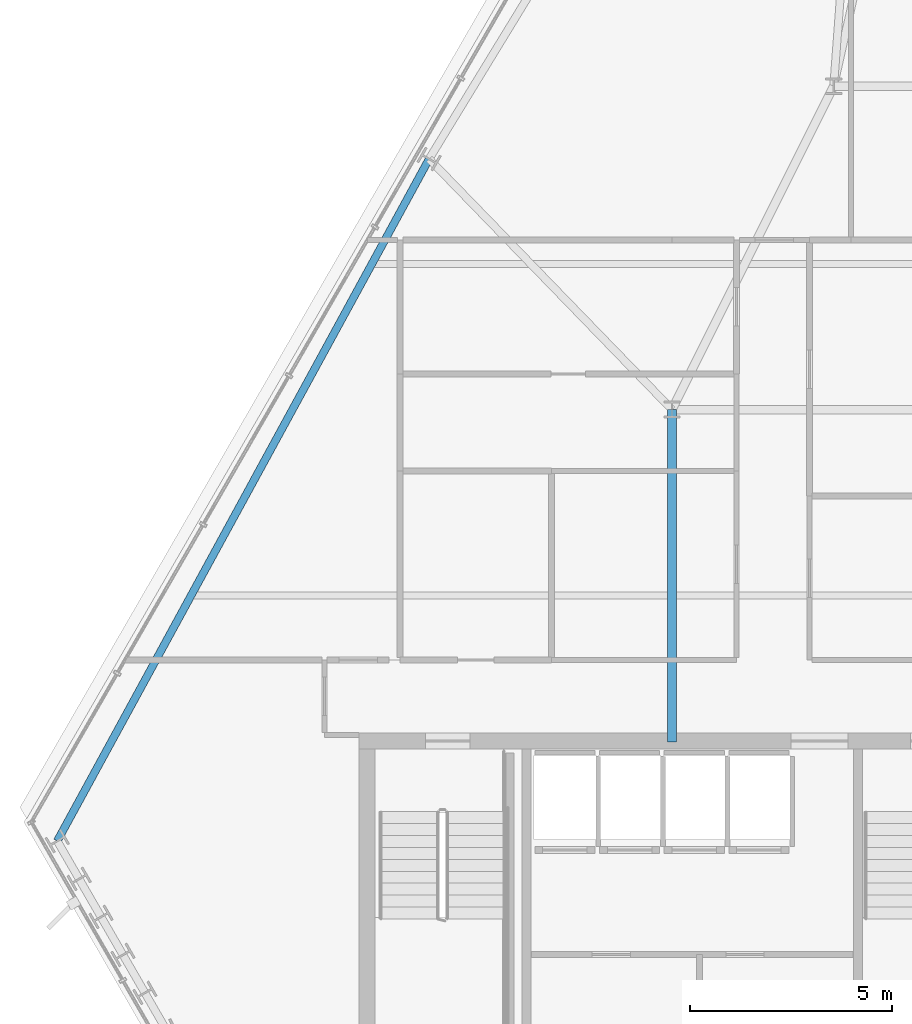
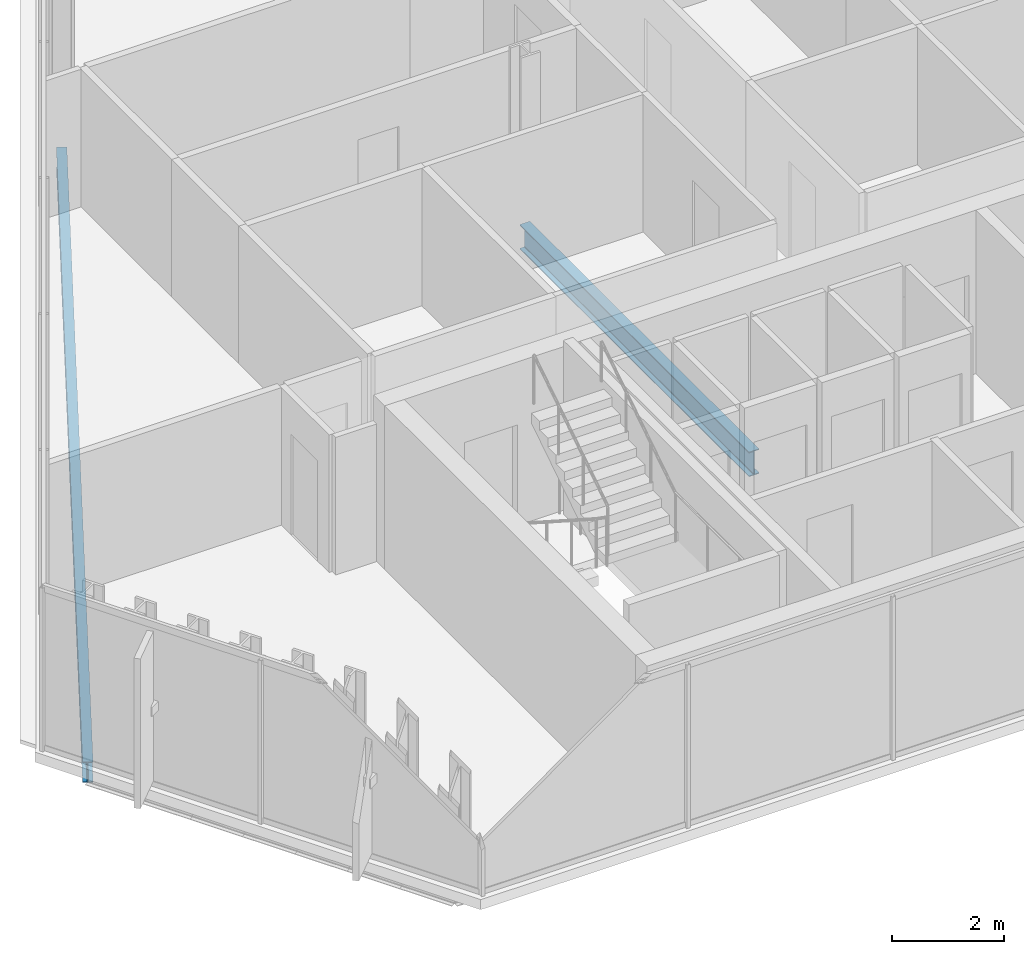
# One storey, part 5 of 34: 2 beams.
"""IFC4 building model written with IfcOpenShell, lengths in metres."""

from ifc_helpers import new_model, si_unit, direction, frame, origin, origin_2d, place, context, subcontext, project, spatial, i_section, extrude, material, material_profile, profile_set, type_object, element, save


model = new_model("IFC4")

# Units and contexts
model_context = context("Model", 3, precision=1e-05, world=origin(), true_north=direction((0.0, 1.0)))
body_context = subcontext(model_context, "Body", "Model", "MODEL_VIEW")
ifc_project = project(units=[si_unit("LENGTHUNIT", "METRE"), si_unit("AREAUNIT", "SQUARE_METRE"), si_unit("VOLUMEUNIT", "CUBIC_METRE"), si_unit("PLANEANGLEUNIT", "RADIAN"), si_unit("MASSUNIT", "GRAM", prefix="KILO")], contexts=[model_context])

# Site, building, storey
site_placement = place(None, origin())
site = spatial("IfcSite", under=ifc_project, at=site_placement, CompositionType="ELEMENT")
building_placement = place(site_placement, origin())
building = spatial("IfcBuilding", under=site, at=building_placement, Name="Ndaravel Arena Tower", CompositionType="ELEMENT")
storey_placement = place(building_placement, frame((0.0, 0.0, 191.60009765625)))
storey = spatial("IfcBuildingStorey", under=building, at=storey_placement, Name="L46", CompositionType="ELEMENT", Elevation=191.60009765625)

# Beams
ifc_material_1 = material(Name="Steel S355", Category="steel")
ifc_material_profile_1 = material_profile(ifc_material_1, i_section(OverallWidth=0.210693359375, OverallDepth=0.53955078125, WebThickness=0.01171875, FlangeThickness=0.018798828125, FilletRadius=0.0126953125, at=origin_2d()), Name="UB 533x210x109")
ifc_profile_set_1 = profile_set([ifc_material_profile_1], Name="Steel S355")
beam_type_1 = type_object("IfcBeamType", Name="BM-GIRD-UB533", PredefinedType="BEAM", material=ifc_profile_set_1)
beam_1_placement = place(storey_placement, frame((34.199951171875, 14.97998046875, -0.48974609375), z_axis=(0.0, 1.0, 0.0), x_axis=(-1.0, 0.0, 0.0)))
element("IfcBeam", 1, at=beam_1_placement, inside=storey, type_object=beam_type_1, Name="L46 Spine Link Girder SLG-01", PredefinedType="BEAM", context=body_context, shape_type="SweptSolid", body=[
    extrude(i_section(OverallWidth=0.210693359375, OverallDepth=0.53955078125, WebThickness=0.01171875, FlangeThickness=0.018798828125, FilletRadius=0.0126953125, at=origin_2d()), origin(), (0.0, 0.0, 1.0), 8.219970703125),
])
ifc_material_2 = material(Name="Steel S355", Category="steel")
ifc_material_profile_2 = material_profile(ifc_material_2, i_section(OverallWidth=0.18994140625, OverallDepth=0.449951171875, WebThickness=0.009521484375, FlangeThickness=0.0146484375, FilletRadius=0.02099609375, at=origin_2d()), Name="IPE 450")
ifc_profile_set_2 = profile_set([ifc_material_profile_2], Name="Steel S355")
beam_type_2 = type_object("IfcBeamType", Name="BM-SPAN-IPE450", PredefinedType="SPANDREL", material=ifc_profile_set_2)
beam_2_placement = place(storey_placement, frame((28.189697265625, 29.400146484375, -0.445068359375), z_axis=(-0.478681253649, -0.877988756992, 0.0), x_axis=(0.877988756992, -0.478681253649, 0.0)))
element("IfcBeam", 2, at=beam_2_placement, inside=storey, type_object=beam_type_2, Name="L46 Perimeter Spandrel Beam SP-19", PredefinedType="SPANDREL", context=body_context, shape_type="SweptSolid", body=[
    extrude(i_section(OverallWidth=0.18994140625, OverallDepth=0.449951171875, WebThickness=0.009521484375, FlangeThickness=0.0146484375, FilletRadius=0.02099609375, at=origin_2d()), origin(), (0.0, 0.0, 1.0), 19.220947265625),
])

save(model, "model.ifc")
